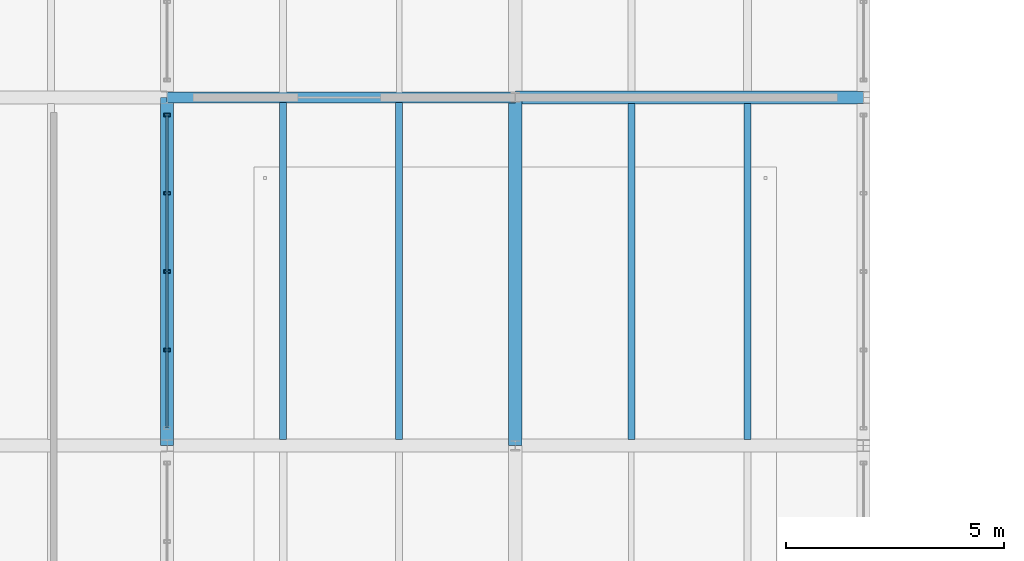
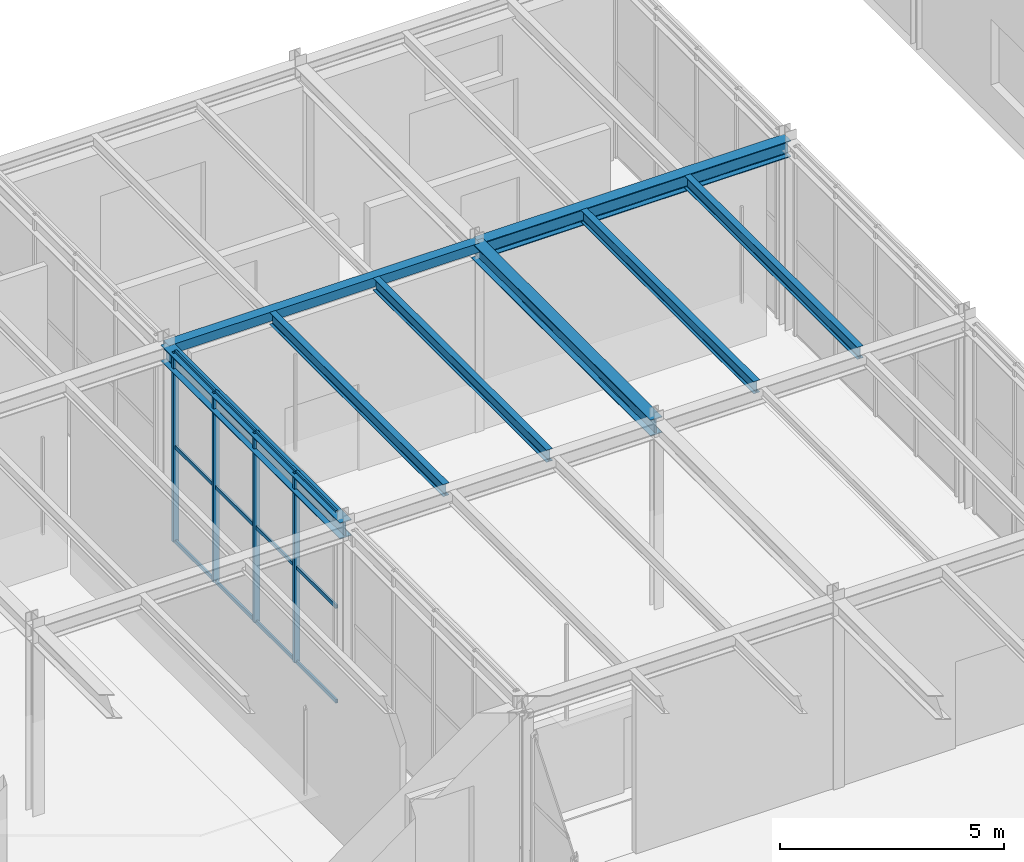
# One storey, part 47 of 129: 16 members, 8 beams, 1 element without a shape of its own.
"""IFC4 building model written with IfcOpenShell, lengths in metres."""

from ifc_helpers import new_model, si_unit, direction, frame, origin, origin_2d, place, context, subcontext, project, spatial, hollow_rectangle, i_section, extrude, material, material_profile, profile_set, type_object, element, aggregate, save


model = new_model("IFC4")

# Units and contexts
model_context = context("Model", 3, precision=1e-05, world=origin(), true_north=direction((0.0, 1.0)))
body_context = subcontext(model_context, "Body", "Model", "MODEL_VIEW")
ifc_project = project(units=[si_unit("LENGTHUNIT", "METRE"), si_unit("AREAUNIT", "SQUARE_METRE"), si_unit("VOLUMEUNIT", "CUBIC_METRE"), si_unit("PLANEANGLEUNIT", "RADIAN"), si_unit("MASSUNIT", "GRAM", prefix="KILO")], contexts=[model_context])

# Site, building, storey
site_placement = place(None, origin())
site = spatial("IfcSite", under=ifc_project, at=site_placement, CompositionType="ELEMENT")
building_placement = place(site_placement, origin())
building = spatial("IfcBuilding", under=site, at=building_placement, Name="Sundkrona Museum", CompositionType="ELEMENT")
storey_placement = place(building_placement, origin())
storey = spatial("IfcBuildingStorey", under=building, at=storey_placement, Name="L00", CompositionType="ELEMENT", Elevation=0.0)

# Beams
ifc_material_1 = material(Name="Steel S355J2", Category="steel")
ifc_material_profile_1 = material_profile(ifc_material_1, i_section(OverallWidth=0.300048828125, OverallDepth=0.43994140625, WebThickness=0.011474609375, FlangeThickness=0.02099609375, FilletRadius=0.027099609375, at=origin_2d()), Name="HEA 450")
ifc_profile_set_1 = profile_set([ifc_material_profile_1], Name="Steel S355J2")
beam_type_1 = type_object("IfcBeamType", Name="B-HEA450", PredefinedType="BEAM", material=ifc_profile_set_1)
for number, where, z_axis, x_axis, name in (
    (1, (88.0, 94.0, 4.919921875), (1.0, 0.0, 0.0), (0.0, 1.0, 0.0), "L00 Girder X-0559"),
    (2, (80.0, 86.0, 4.919921875), (0.0, 1.0, 0.0), (-1.0, 0.0, 0.0), "L00 Girder Y-0682"),
    (3, (88.0, 86.0, 4.919921875), (0.0, 1.0, 0.0), (-1.0, 0.0, 0.0), "L00 Girder Y-0697"),
):
    element("IfcBeam", number, at=place(storey_placement, frame(where, z_axis=z_axis, x_axis=x_axis)), inside=storey, type_object=beam_type_1, Name=name, PredefinedType="BEAM", context=body_context, shape_type="SweptSolid", body=[
        extrude(i_section(OverallWidth=0.300048828125, OverallDepth=0.43994140625, WebThickness=0.011474609375, FlangeThickness=0.02099609375, FilletRadius=0.027099609375, at=origin_2d()), origin(), (0.0, 0.0, 1.0), 8.0),
    ])
ifc_material_2 = material(Name="Steel S460M", Category="steel")
ifc_material_profile_2 = material_profile(ifc_material_2, hollow_rectangle(XDim=0.25, YDim=0.25, WallThickness=0.012451171875, at=origin_2d()), Name="SHS 250x250x12.5")
ifc_profile_set_2 = profile_set([ifc_material_profile_2], Name="Steel S460M")
beam_type_2 = type_object("IfcBeamType", Name="B-SHS250", PredefinedType="BEAM", material=ifc_profile_set_2)
beam_placement = place(storey_placement, frame((80.0, 94.0, 5.014892578125), z_axis=(1.0, 0.0, 0.0), x_axis=(0.0, 1.0, 0.0)))
element("IfcBeam", 4, at=beam_placement, inside=storey, type_object=beam_type_2, Name="L00 Girder X-0558", PredefinedType="BEAM", context=body_context, shape_type="SweptSolid", body=[
    extrude(hollow_rectangle(XDim=0.25, YDim=0.25, WallThickness=0.012451171875, at=origin_2d()), origin(), (0.0, 0.0, 1.0), 8.0),
])
ifc_material_profile_3 = material_profile(ifc_material_1, i_section(OverallWidth=0.159912109375, OverallDepth=0.330078125, WebThickness=0.007568359375, FlangeThickness=0.011474609375, FilletRadius=0.01806640625, at=origin_2d()), Name="IPE 330")
ifc_profile_set_3 = profile_set([ifc_material_profile_3], Name="Steel S355J2")
beam_type_3 = type_object("IfcBeamType", Name="J-IPE330", PredefinedType="JOIST", material=ifc_profile_set_3)
for number, where, z_axis, x_axis, name in (
    (5, (82.666748046875, 86.14404296875, 4.97509765625), (0.0, 1.0, 0.0), (-1.0, 0.0, 0.0), "L00 Composite Joist 0407"),
    (6, (85.333251953125, 86.14404296875, 4.97509765625), (0.0, 1.0, 0.0), (-1.0, 0.0, 0.0), "L00 Composite Joist 0408"),
):
    element("IfcBeam", number, at=place(storey_placement, frame(where, z_axis=z_axis, x_axis=x_axis)), inside=storey, type_object=beam_type_3, Name=name, PredefinedType="JOIST", context=body_context, shape_type="SweptSolid", body=[
        extrude(i_section(OverallWidth=0.159912109375, OverallDepth=0.330078125, WebThickness=0.007568359375, FlangeThickness=0.011474609375, FilletRadius=0.01806640625, at=origin_2d()), origin(), (0.0, 0.0, 1.0), 7.737060546875),
    ])
for number, where, z_axis, x_axis, name in (
    (7, (90.666748046875, 86.14404296875, 4.97509765625), (0.0, 1.0, 0.0), (-1.0, 0.0, 0.0), "L00 Composite Joist 0427"),
    (8, (93.333251953125, 86.14404296875, 4.97509765625), (0.0, 1.0, 0.0), (-1.0, 0.0, 0.0), "L00 Composite Joist 0428"),
):
    element("IfcBeam", number, at=place(storey_placement, frame(where, z_axis=z_axis, x_axis=x_axis)), inside=storey, type_object=beam_type_3, Name=name, PredefinedType="JOIST", context=body_context, shape_type="SweptSolid", body=[
        extrude(i_section(OverallWidth=0.159912109375, OverallDepth=0.330078125, WebThickness=0.007568359375, FlangeThickness=0.011474609375, FilletRadius=0.01806640625, at=origin_2d()), origin(), (0.0, 0.0, 1.0), 7.7119140625),
    ])

# Curtain wall, members
ifc_material_3 = material(Name="Unitised Aluminium-Steel and Ceramic-Clad Curtain Walling", Category="steel")
curtain_wall_type = type_object("IfcCurtainWallType", Name="CW-PS-74x48", PredefinedType="NOTDEFINED", material=ifc_material_3)
curtain_wall_placement = place(storey_placement, origin())
curtain_wall = element("IfcCurtainWall", 9, at=curtain_wall_placement, inside=storey, type_object=curtain_wall_type, Name="L00 Curtain Wall CW-L00-104", PredefinedType="NOTDEFINED")
ifc_material_4 = material(Name="Aluminium EN AW-6060 T66", Category="aluminium")
ifc_material_profile_4 = material_profile(ifc_material_4, hollow_rectangle(XDim=0.074951171875, YDim=0.14990234375, WallThickness=0.00634765625, at=origin_2d()), Name="RHS 150x75x6.3")
ifc_profile_set_4 = profile_set([ifc_material_profile_4], Name="Aluminium EN AW-6060 T66")
member_type_1 = type_object("IfcMemberType", Name="ML-150", PredefinedType="MULLION", material=ifc_profile_set_4)
member_1_placement = place(storey_placement, frame((80.0, 88.199951171875, -0.00390625), z_axis=(0.0, 0.0, 1.0), x_axis=(0.0, 1.0, 0.0)))
member_1 = element("IfcMember", 10, at=member_1_placement, type_object=member_type_1, Name="CW-L00-104 Mullion 02", PredefinedType="MULLION", context=body_context, shape_type="SweptSolid", body=[
    extrude(hollow_rectangle(XDim=0.074951171875, YDim=0.14990234375, WallThickness=0.00634765625, at=origin_2d()), origin(), (0.0, 0.0, 1.0), 5.14794921875),
])
member_2_placement = place(storey_placement, frame((80.0, 90.0, -0.00390625), z_axis=(0.0, 0.0, 1.0), x_axis=(0.0, 1.0, 0.0)))
member_2 = element("IfcMember", 11, at=member_2_placement, type_object=member_type_1, Name="CW-L00-104 Mullion 03", PredefinedType="MULLION", context=body_context, shape_type="SweptSolid", body=[
    extrude(hollow_rectangle(XDim=0.074951171875, YDim=0.14990234375, WallThickness=0.00634765625, at=origin_2d()), origin(), (0.0, 0.0, 1.0), 5.14794921875),
])
member_3_placement = place(storey_placement, frame((80.0, 91.800048828125, -0.00390625), z_axis=(0.0, 0.0, 1.0), x_axis=(0.0, 1.0, 0.0)))
member_3 = element("IfcMember", 12, at=member_3_placement, type_object=member_type_1, Name="CW-L00-104 Mullion 04", PredefinedType="MULLION", context=body_context, shape_type="SweptSolid", body=[
    extrude(hollow_rectangle(XDim=0.074951171875, YDim=0.14990234375, WallThickness=0.00634765625, at=origin_2d()), origin(), (0.0, 0.0, 1.0), 5.14794921875),
])
member_4_placement = place(storey_placement, frame((80.0, 93.60009765625, -0.00390625), z_axis=(0.0, 0.0, 1.0), x_axis=(0.0, 1.0, 0.0)))
member_4 = element("IfcMember", 13, at=member_4_placement, type_object=member_type_1, Name="CW-L00-104 Mullion 05", PredefinedType="MULLION", context=body_context, shape_type="SweptSolid", body=[
    extrude(hollow_rectangle(XDim=0.074951171875, YDim=0.14990234375, WallThickness=0.00634765625, at=origin_2d()), origin(), (0.0, 0.0, 1.0), 5.14794921875),
])
ifc_material_profile_5 = material_profile(ifc_material_4, hollow_rectangle(XDim=0.050048828125, YDim=0.10009765625, WallThickness=0.0048828125, at=origin_2d()), Name="RHS 100x50x5.0")
ifc_profile_set_5 = profile_set([ifc_material_profile_5], Name="Aluminium EN AW-6060 T66")
member_type_2 = type_object("IfcMemberType", Name="TR-100", PredefinedType="USERDEFINED", material=ifc_profile_set_5)
member_5_placement = place(storey_placement, frame((80.0, 86.39990234375, -0.00390625), z_axis=(0.0, 1.0, 0.0), x_axis=(-1.0, 0.0, 0.0)))
member_5 = element("IfcMember", 14, at=member_5_placement, type_object=member_type_2, Name="CW-L00-104 Transom 01", ObjectType="TRANSOM", PredefinedType="USERDEFINED", context=body_context, shape_type="SweptSolid", body=[
    extrude(hollow_rectangle(XDim=0.050048828125, YDim=0.10009765625, WallThickness=0.0048828125, at=origin_2d()), origin(), (0.0, 0.0, 1.0), 1.800048828125),
])
member_6_placement = place(storey_placement, frame((80.0, 86.39990234375, 2.570068359375), z_axis=(0.0, 1.0, 0.0), x_axis=(-1.0, 0.0, 0.0)))
member_6 = element("IfcMember", 15, at=member_6_placement, type_object=member_type_2, Name="CW-L00-104 Transom 02", ObjectType="TRANSOM", PredefinedType="USERDEFINED", context=body_context, shape_type="SweptSolid", body=[
    extrude(hollow_rectangle(XDim=0.050048828125, YDim=0.10009765625, WallThickness=0.0048828125, at=origin_2d()), origin(), (0.0, 0.0, 1.0), 1.800048828125),
])
member_7_placement = place(storey_placement, frame((80.0, 86.39990234375, 5.14404296875), z_axis=(0.0, 1.0, 0.0), x_axis=(-1.0, 0.0, 0.0)))
member_7 = element("IfcMember", 16, at=member_7_placement, type_object=member_type_2, Name="CW-L00-104 Transom 03", ObjectType="TRANSOM", PredefinedType="USERDEFINED", context=body_context, shape_type="SweptSolid", body=[
    extrude(hollow_rectangle(XDim=0.050048828125, YDim=0.10009765625, WallThickness=0.0048828125, at=origin_2d()), origin(), (0.0, 0.0, 1.0), 1.800048828125),
])
member_8_placement = place(storey_placement, frame((80.0, 88.199951171875, -0.00390625), z_axis=(0.0, 1.0, 0.0), x_axis=(-1.0, 0.0, 0.0)))
member_8 = element("IfcMember", 17, at=member_8_placement, type_object=member_type_2, Name="CW-L00-104 Transom 04", ObjectType="TRANSOM", PredefinedType="USERDEFINED", context=body_context, shape_type="SweptSolid", body=[
    extrude(hollow_rectangle(XDim=0.050048828125, YDim=0.10009765625, WallThickness=0.0048828125, at=origin_2d()), origin(), (0.0, 0.0, 1.0), 1.800048828125),
])
member_9_placement = place(storey_placement, frame((80.0, 88.199951171875, 2.570068359375), z_axis=(0.0, 1.0, 0.0), x_axis=(-1.0, 0.0, 0.0)))
member_9 = element("IfcMember", 18, at=member_9_placement, type_object=member_type_2, Name="CW-L00-104 Transom 05", ObjectType="TRANSOM", PredefinedType="USERDEFINED", context=body_context, shape_type="SweptSolid", body=[
    extrude(hollow_rectangle(XDim=0.050048828125, YDim=0.10009765625, WallThickness=0.0048828125, at=origin_2d()), origin(), (0.0, 0.0, 1.0), 1.800048828125),
])
member_10_placement = place(storey_placement, frame((80.0, 88.199951171875, 5.14404296875), z_axis=(0.0, 1.0, 0.0), x_axis=(-1.0, 0.0, 0.0)))
member_10 = element("IfcMember", 19, at=member_10_placement, type_object=member_type_2, Name="CW-L00-104 Transom 06", ObjectType="TRANSOM", PredefinedType="USERDEFINED", context=body_context, shape_type="SweptSolid", body=[
    extrude(hollow_rectangle(XDim=0.050048828125, YDim=0.10009765625, WallThickness=0.0048828125, at=origin_2d()), origin(), (0.0, 0.0, 1.0), 1.800048828125),
])
member_11_placement = place(storey_placement, frame((80.0, 90.0, -0.00390625), z_axis=(0.0, 1.0, 0.0), x_axis=(-1.0, 0.0, 0.0)))
member_11 = element("IfcMember", 20, at=member_11_placement, type_object=member_type_2, Name="CW-L00-104 Transom 07", ObjectType="TRANSOM", PredefinedType="USERDEFINED", context=body_context, shape_type="SweptSolid", body=[
    extrude(hollow_rectangle(XDim=0.050048828125, YDim=0.10009765625, WallThickness=0.0048828125, at=origin_2d()), origin(), (0.0, 0.0, 1.0), 1.800048828125),
])
member_12_placement = place(storey_placement, frame((80.0, 90.0, 2.570068359375), z_axis=(0.0, 1.0, 0.0), x_axis=(-1.0, 0.0, 0.0)))
member_12 = element("IfcMember", 21, at=member_12_placement, type_object=member_type_2, Name="CW-L00-104 Transom 08", ObjectType="TRANSOM", PredefinedType="USERDEFINED", context=body_context, shape_type="SweptSolid", body=[
    extrude(hollow_rectangle(XDim=0.050048828125, YDim=0.10009765625, WallThickness=0.0048828125, at=origin_2d()), origin(), (0.0, 0.0, 1.0), 1.800048828125),
])
member_13_placement = place(storey_placement, frame((80.0, 90.0, 5.14404296875), z_axis=(0.0, 1.0, 0.0), x_axis=(-1.0, 0.0, 0.0)))
member_13 = element("IfcMember", 22, at=member_13_placement, type_object=member_type_2, Name="CW-L00-104 Transom 09", ObjectType="TRANSOM", PredefinedType="USERDEFINED", context=body_context, shape_type="SweptSolid", body=[
    extrude(hollow_rectangle(XDim=0.050048828125, YDim=0.10009765625, WallThickness=0.0048828125, at=origin_2d()), origin(), (0.0, 0.0, 1.0), 1.800048828125),
])
member_14_placement = place(storey_placement, frame((80.0, 91.800048828125, -0.00390625), z_axis=(0.0, 1.0, 0.0), x_axis=(-1.0, 0.0, 0.0)))
member_14 = element("IfcMember", 23, at=member_14_placement, type_object=member_type_2, Name="CW-L00-104 Transom 10", ObjectType="TRANSOM", PredefinedType="USERDEFINED", context=body_context, shape_type="SweptSolid", body=[
    extrude(hollow_rectangle(XDim=0.050048828125, YDim=0.10009765625, WallThickness=0.0048828125, at=origin_2d()), origin(), (0.0, 0.0, 1.0), 1.800048828125),
])
member_15_placement = place(storey_placement, frame((80.0, 91.800048828125, 2.570068359375), z_axis=(0.0, 1.0, 0.0), x_axis=(-1.0, 0.0, 0.0)))
member_15 = element("IfcMember", 24, at=member_15_placement, type_object=member_type_2, Name="CW-L00-104 Transom 11", ObjectType="TRANSOM", PredefinedType="USERDEFINED", context=body_context, shape_type="SweptSolid", body=[
    extrude(hollow_rectangle(XDim=0.050048828125, YDim=0.10009765625, WallThickness=0.0048828125, at=origin_2d()), origin(), (0.0, 0.0, 1.0), 1.800048828125),
])
member_16_placement = place(storey_placement, frame((80.0, 91.800048828125, 5.14404296875), z_axis=(0.0, 1.0, 0.0), x_axis=(-1.0, 0.0, 0.0)))
member_16 = element("IfcMember", 25, at=member_16_placement, type_object=member_type_2, Name="CW-L00-104 Transom 12", ObjectType="TRANSOM", PredefinedType="USERDEFINED", context=body_context, shape_type="SweptSolid", body=[
    extrude(hollow_rectangle(XDim=0.050048828125, YDim=0.10009765625, WallThickness=0.0048828125, at=origin_2d()), origin(), (0.0, 0.0, 1.0), 1.800048828125),
])
aggregate(curtain_wall, [member_1, member_2, member_3, member_4, member_5, member_6, member_7, member_8, member_9, member_10, member_11, member_12, member_13, member_14, member_15, member_16])

save(model, "model.ifc")
